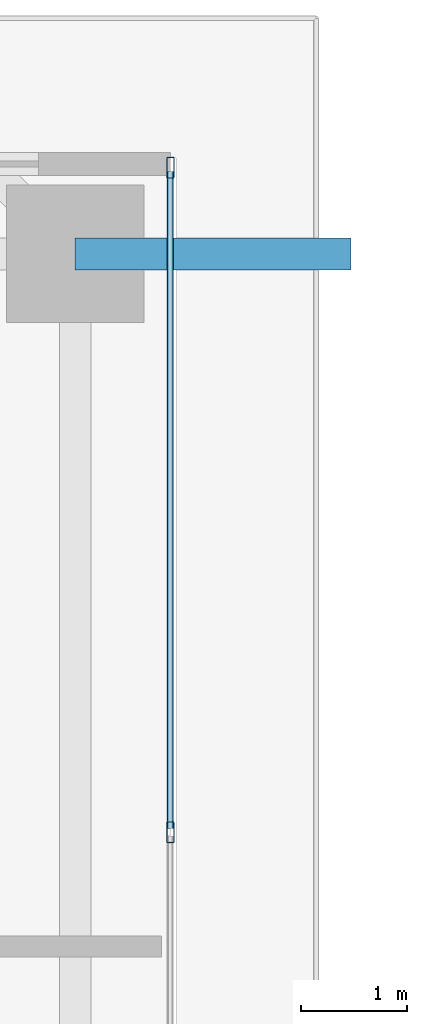
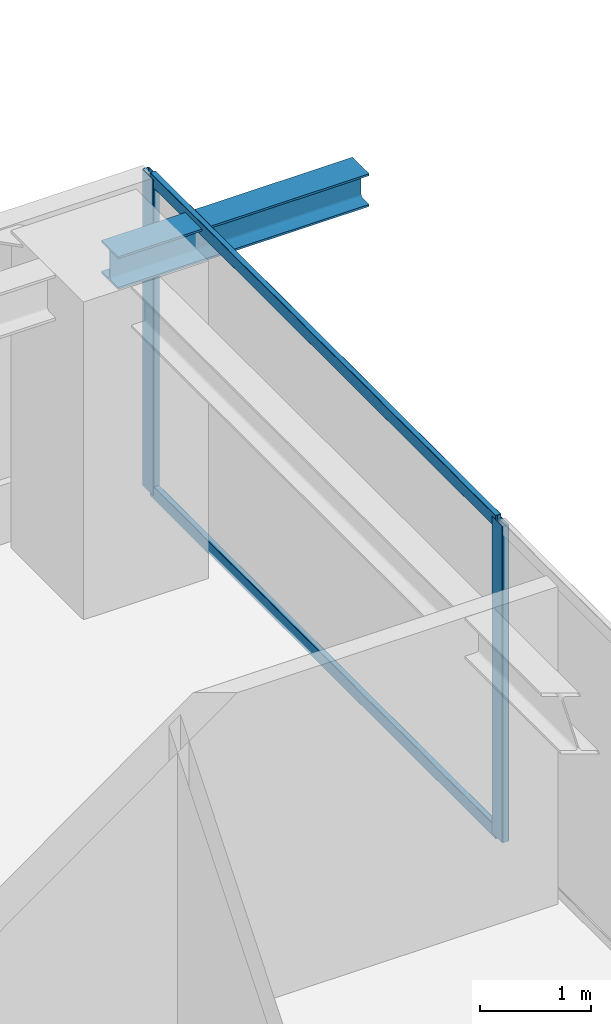
# One storey, part 21 of 35: 4 members, 1 beam, 1 element without a shape of its own.
"""IFC4 building model written with IfcOpenShell, lengths in metres."""

from ifc_helpers import new_model, si_unit, direction, frame, origin, origin_2d, place, context, subcontext, project, spatial, hollow_rectangle, i_section, extrude, source, transform, mapped, material, layer, layer_set, material_profile, profile_set, type_object, element, aggregate, save


model = new_model("IFC4")

# Units and contexts
model_context = context("Model", 3, precision=1e-05, world=origin(), true_north=direction((0.0, 1.0)))
body_context = subcontext(model_context, "Body", "Model", "MODEL_VIEW")
ifc_project = project(units=[si_unit("LENGTHUNIT", "METRE"), si_unit("AREAUNIT", "SQUARE_METRE"), si_unit("VOLUMEUNIT", "CUBIC_METRE"), si_unit("PLANEANGLEUNIT", "RADIAN"), si_unit("MASSUNIT", "GRAM", prefix="KILO")], contexts=[model_context])

# Site, building, storey
site_placement = place(None, origin())
site = spatial("IfcSite", under=ifc_project, at=site_placement, CompositionType="ELEMENT")
building_placement = place(site_placement, origin())
building = spatial("IfcBuilding", under=site, at=building_placement, Name="Serunith Strait Residences", CompositionType="ELEMENT")
storey_placement = place(building_placement, frame((0.0, 0.0, 172.64990234375)))
storey = spatial("IfcBuildingStorey", under=building, at=storey_placement, Name="L43", CompositionType="ELEMENT", Elevation=172.64990234375)

# Beam
ifc_material_1 = material(Name="Steel S355J2", Category="steel")
ifc_material_profile_1 = material_profile(ifc_material_1, i_section(OverallWidth=0.300048828125, OverallDepth=0.360107421875, WebThickness=0.012451171875, FlangeThickness=0.0224609375, FilletRadius=0.027099609375, at=origin_2d()), Name="HEB 360")
ifc_profile_set_1 = profile_set([ifc_material_profile_1], Name="Steel S355J2")
beam_type = type_object("IfcBeamType", Name="BM-HEB360", PredefinedType="BEAM", material=ifc_profile_set_1)
shared_shape_1 = source(origin(), body_context, "Body", "SweptSolid", [
    extrude(i_section(OverallWidth=0.300048828125, OverallDepth=0.360107421875, WebThickness=0.012451171875, FlangeThickness=0.0224609375, FilletRadius=0.027099609375, at=origin_2d()), origin(), (0.0, 0.0, 1.0), 2.609375),
])
beam_placement = place(storey_placement, frame((56.10009765625, 40.14990234375, 3.277099609375), z_axis=(1.0, 0.0, 0.0), x_axis=(0.0, 1.0, 0.0)))
element("IfcBeam", 1, at=beam_placement, inside=storey, type_object=beam_type, Name="L44 Cantilevered Balcony Rib TC-E4", PredefinedType="BEAM", context=body_context, shape_type="MappedRepresentation", body=[
    mapped(shared_shape_1, transform((0.0, 0.0, 0.0), scale=1.0)),
])

# Curtain wall, members
ifc_material_2 = material(Name="Pale-Champagne Anodised Aluminium", Category="aluminium")
ifc_layer = layer(ifc_material_2, 0.199951171875, Name="Pale-Champagne Anodised Aluminium")
ifc_layer_set = layer_set([ifc_layer], Name="Pale-Champagne Anodised Aluminium")
curtain_wall_type = type_object("IfcCurtainWallType", Name="CW-SYS2", PredefinedType="NOTDEFINED", material=ifc_layer_set)
curtain_wall_placement = place(storey_placement, origin())
curtain_wall = element("IfcCurtainWall", 2, at=curtain_wall_placement, inside=storey, type_object=curtain_wall_type, Name="L43 E Unitised Fritted Curtain Wall", PredefinedType="NOTDEFINED")
ifc_material_profile_2 = material_profile(ifc_material_2, hollow_rectangle(XDim=0.070068359375, YDim=0.199951171875, WallThickness=0.00390625, InnerFilletRadius=0.006103515625, OuterFilletRadius=0.010009765625, at=origin_2d()), Name="ALU 200x70x4")
ifc_profile_set_2 = profile_set([ifc_material_profile_2], Name="Pale-Champagne Anodised Aluminium")
member_type_1 = type_object("IfcMemberType", Name="CW-SYS2-MULL", PredefinedType="MULLION", material=ifc_profile_set_2)
shared_shape_2 = source(origin(), body_context, "Body", "SweptSolid", [
    extrude(hollow_rectangle(XDim=0.070068359375, YDim=0.199951171875, WallThickness=0.00390625, InnerFilletRadius=0.006103515625, OuterFilletRadius=0.010009765625, at=origin_2d()), origin(), (0.0, 0.0, 1.0), 3.47509765625),
])
member_1_placement = place(storey_placement, frame((57.0, 34.679931640625, 0.0), z_axis=(0.0, 0.0, 1.0), x_axis=(-1.0, 0.0, 0.0)))
member_1 = element("IfcMember", 3, at=member_1_placement, type_object=member_type_1, Name="CW-2 mullion 5", PredefinedType="MULLION", context=body_context, shape_type="MappedRepresentation", body=[
    mapped(shared_shape_2, transform((0.0, 0.0, 0.0), scale=1.0)),
])
member_2_placement = place(storey_placement, frame((57.0, 40.965087890625, 0.0), z_axis=(0.0, 0.0, 1.0), x_axis=(-1.0, 0.0, 0.0)))
member_2 = element("IfcMember", 4, at=member_2_placement, type_object=member_type_1, Name="CW-2 mullion 6", PredefinedType="MULLION", context=body_context, shape_type="MappedRepresentation", body=[
    mapped(shared_shape_2, transform((0.0, 0.0, 0.0), scale=1.0)),
])
ifc_material_profile_3 = material_profile(ifc_material_2, hollow_rectangle(XDim=0.06005859375, YDim=0.139892578125, WallThickness=0.00341796875, InnerFilletRadius=0.00537109375, OuterFilletRadius=0.0087890625, at=origin_2d()), Name="ALU 140x60x3.5")
ifc_profile_set_3 = profile_set([ifc_material_profile_3], Name="Pale-Champagne Anodised Aluminium")
member_type_2 = type_object("IfcMemberType", Name="CW-SYS2-TRAN", PredefinedType="USERDEFINED", material=ifc_profile_set_3)
shared_shape_3 = source(origin(), body_context, "Body", "SweptSolid", [
    extrude(hollow_rectangle(XDim=0.06005859375, YDim=0.139892578125, WallThickness=0.00341796875, InnerFilletRadius=0.00537109375, OuterFilletRadius=0.0087890625, at=origin_2d()), origin(), (0.0, 0.0, 1.0), 6.21484375),
])
member_3_placement = place(storey_placement, frame((57.0, 34.715087890625, 0.030029296875), z_axis=(0.0, 1.0, 0.0), x_axis=(-1.0, 0.0, 0.0)))
member_3 = element("IfcMember", 5, at=member_3_placement, type_object=member_type_2, Name="CW-2 transom 5.1", ObjectType="TRANSOM", PredefinedType="USERDEFINED", context=body_context, shape_type="MappedRepresentation", body=[
    mapped(shared_shape_3, transform((0.0, 0.0, 0.0), scale=1.0)),
])
member_4_placement = place(storey_placement, frame((57.0, 34.715087890625, 3.445068359375), z_axis=(0.0, 1.0, 0.0), x_axis=(-1.0, 0.0, 0.0)))
member_4 = element("IfcMember", 6, at=member_4_placement, type_object=member_type_2, Name="CW-2 transom 5.2", ObjectType="TRANSOM", PredefinedType="USERDEFINED", context=body_context, shape_type="MappedRepresentation", body=[
    mapped(shared_shape_3, transform((0.0, 0.0, 0.0), scale=1.0)),
])
aggregate(curtain_wall, [member_1, member_2, member_3, member_4])

save(model, "model.ifc")
